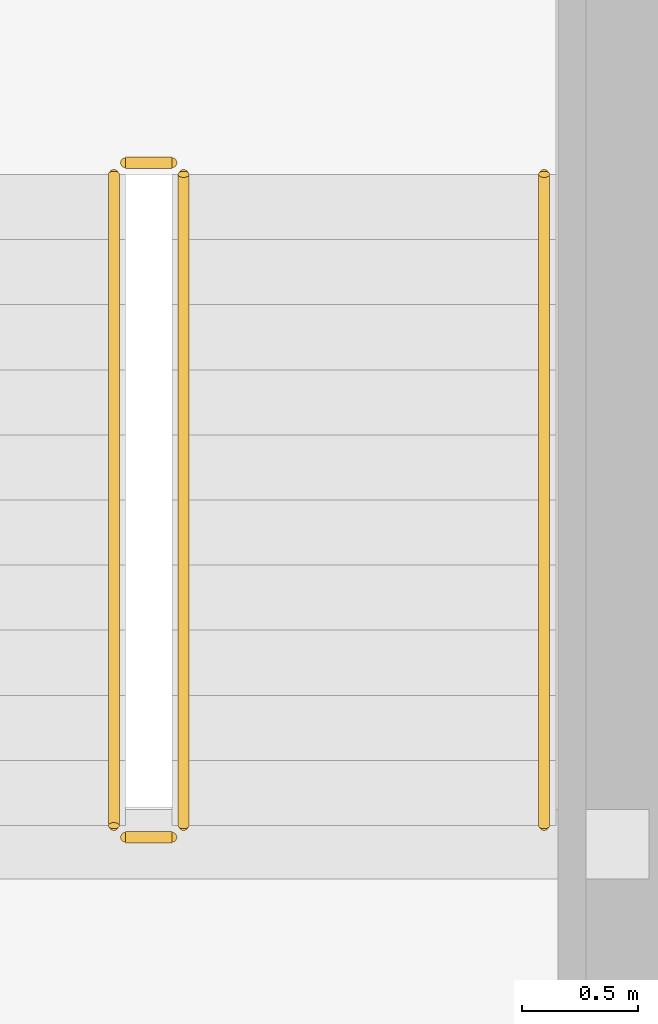
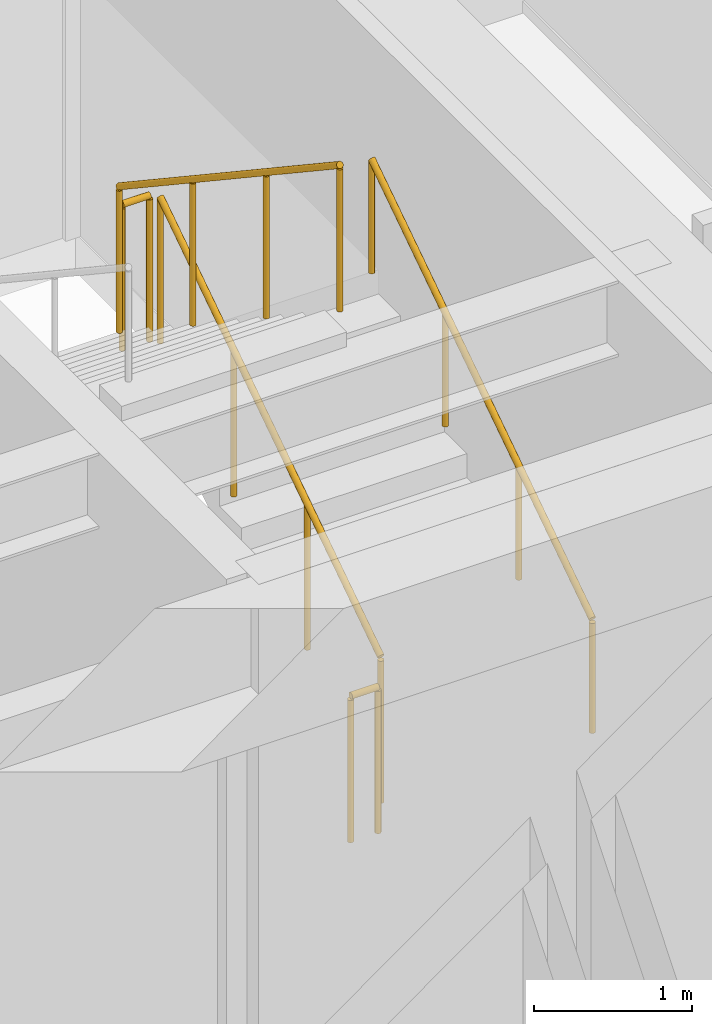
# One storey, part 34 of 35: 5 railings.
"""IFC4 building model written with IfcOpenShell, lengths in metres."""

from ifc_helpers import new_model, si_unit, direction, frame, origin, origin_2d, place, context, subcontext, project, spatial, circle, extrude, source, transform, mapped, material, type_object, type_shapes, element, save


model = new_model("IFC4")

# Units and contexts
model_context = context("Model", 3, precision=1e-05, world=origin(), true_north=direction((0.0, 1.0)))
body_context = subcontext(model_context, "Body", "Model", "MODEL_VIEW")
ifc_project = project(units=[si_unit("LENGTHUNIT", "METRE"), si_unit("AREAUNIT", "SQUARE_METRE"), si_unit("VOLUMEUNIT", "CUBIC_METRE"), si_unit("PLANEANGLEUNIT", "RADIAN"), si_unit("MASSUNIT", "GRAM", prefix="KILO")], contexts=[model_context])

# Site, building, storey
site_placement = place(None, origin())
site = spatial("IfcSite", under=ifc_project, at=site_placement, CompositionType="ELEMENT")
building_placement = place(site_placement, origin())
building = spatial("IfcBuilding", under=site, at=building_placement, Name="Haelvirn Gate Laboratories", CompositionType="ELEMENT")
storey_placement = place(building_placement, frame((0.0, 0.0, 283.39990234375)))
storey = spatial("IfcBuildingStorey", under=building, at=storey_placement, Name="L68", CompositionType="ELEMENT", Elevation=283.39990234375)

# Railings
ifc_material_1 = material(Name="Galvanised steel SM355 & stainless top rail", Category="steel")
railing_type_1 = type_object("IfcRailingType", Name="RL-GUARD-1150", PredefinedType="GUARDRAIL", material=ifc_material_1)
shared_shape_1 = source(origin(), body_context, "Body", "SweptSolid", [
    extrude(circle(Radius=0.02392578125, at=origin_2d()), frame((0.0, 0.0, 1.1259765625), z_axis=(0.0, 0.832485552168, 0.554046753832), x_axis=(-1.0, 0.0, 0.0)), (0.0, 0.0, 1.0), 3.363525390625),
    extrude(circle(Radius=0.02099609375, at=origin_2d()), origin(), (0.0, 0.0, 1.0), 1.101806640625),
    extrude(circle(Radius=0.02099609375, at=origin_2d()), frame((0.0, 0.933349609375, 0.62109375)), (0.0, 0.0, 1.0), 1.101806640625),
    extrude(circle(Radius=0.02099609375, at=origin_2d()), frame((0.0, 1.86669921875, 1.242431640625)), (0.0, 0.0, 1.0), 1.101806640625),
    extrude(circle(Radius=0.02099609375, at=origin_2d()), frame((0.0, 2.800048828125, 1.863525390625)), (0.0, 0.0, 1.0), 1.101806640625),
])
railing_1_placement = place(storey_placement, frame((65.39990234375, 26.699951171875, 0.1865234375)))
element("IfcRailing", 1, at=railing_1_placement, inside=storey, type_object=railing_type_1, Name="L68 ST2 stair guard 1", PredefinedType="GUARDRAIL", context=body_context, shape_type="MappedRepresentation", body=[
    mapped(shared_shape_1, transform((0.0, 0.0, 0.0), scale=1.0)),
])
ifc_material_2 = material(Name="Brushed stainless steel 316L", Category="steel")
railing_type_2 = type_object("IfcRailingType", Name="RL-HAND-920", PredefinedType="HANDRAIL", material=ifc_material_2)
shared_shape_2 = source(origin(), body_context, "Body", "SweptSolid", [
    extrude(circle(Radius=0.02392578125, at=origin_2d()), frame((0.0, 0.0, 0.8759765625), z_axis=(0.0, 0.832485552168, 0.554046753832), x_axis=(-1.0, 0.0, 0.0)), (0.0, 0.0, 1.0), 3.363525390625),
    extrude(circle(Radius=0.02099609375, at=origin_2d()), origin(), (0.0, 0.0, 1.0), 0.851806640625),
    extrude(circle(Radius=0.02099609375, at=origin_2d()), frame((0.0, 0.933349609375, 0.62109375)), (0.0, 0.0, 1.0), 0.851806640625),
    extrude(circle(Radius=0.02099609375, at=origin_2d()), frame((0.0, 1.86669921875, 1.242431640625)), (0.0, 0.0, 1.0), 0.851806640625),
    extrude(circle(Radius=0.02099609375, at=origin_2d()), frame((0.0, 2.800048828125, 1.863525390625)), (0.0, 0.0, 1.0), 0.851806640625),
])
type_shapes(railing_type_2, [shared_shape_2])
railing_2_placement = place(storey_placement, frame((66.949951171875, 26.699951171875, 0.1865234375)))
element("IfcRailing", 2, at=railing_2_placement, inside=storey, type_object=railing_type_2, Name="L68 ST2 stair handrail 1", PredefinedType="HANDRAIL", context=body_context, shape_type="MappedRepresentation", body=[
    mapped(shared_shape_2, transform((0.0, 0.0, 0.0), scale=1.0)),
])
shared_shape_3 = source(origin(), body_context, "Body", "SweptSolid", [
    extrude(circle(Radius=0.02392578125, at=origin_2d()), frame((0.0, 0.0, 1.1259765625), z_axis=(0.0, -0.832485552168, 0.554046753832), x_axis=(1.0, 0.0, 0.0)), (0.0, 0.0, 1.0), 3.363525390625),
    extrude(circle(Radius=0.02099609375, at=origin_2d()), origin(), (0.0, 0.0, 1.0), 1.101806640625),
    extrude(circle(Radius=0.02099609375, at=origin_2d()), frame((0.0, -0.933349609375, 0.62109375)), (0.0, 0.0, 1.0), 1.101806640625),
    extrude(circle(Radius=0.02099609375, at=origin_2d()), frame((0.0, -1.86669921875, 1.242431640625)), (0.0, 0.0, 1.0), 1.101806640625),
    extrude(circle(Radius=0.02099609375, at=origin_2d()), frame((0.0, -2.800048828125, 1.863525390625)), (0.0, 0.0, 1.0), 1.101806640625),
])
railing_3_placement = place(storey_placement, frame((65.10009765625, 29.5, 2.236572265625)))
element("IfcRailing", 3, at=railing_3_placement, inside=storey, type_object=railing_type_1, Name="L68 ST2 stair guard 3", PredefinedType="GUARDRAIL", context=body_context, shape_type="MappedRepresentation", body=[
    mapped(shared_shape_3, transform((0.0, 0.0, 0.0), scale=1.0)),
])
shared_shape_4 = source(origin(), body_context, "Body", "SweptSolid", [
    extrude(circle(Radius=0.02392578125, at=origin_2d()), frame((0.0, 0.0, 1.1259765625), z_axis=(-1.0, 0.0, 0.0), x_axis=(0.0, -1.0, 0.0)), (0.0, 0.0, 1.0), 0.2001953125),
    extrude(circle(Radius=0.02099609375, at=origin_2d()), origin(), (0.0, 0.0, 1.0), 1.101806640625),
    extrude(circle(Radius=0.02099609375, at=origin_2d()), frame((-0.2001953125, 0.0, 0.0)), (0.0, 0.0, 1.0), 1.101806640625),
])
type_shapes(railing_type_1, [shared_shape_1, shared_shape_3, shared_shape_4])
for number, where, name in (
    (4, (65.35009765625, 29.550048828125, 2.050048828125), "L68 ST2 stair guard 2"),
    (5, (65.35009765625, 26.64990234375, 0.0), "L68 ST2 stair guard 4"),
):
    element("IfcRailing", number, at=place(storey_placement, frame(where)), inside=storey, type_object=railing_type_1, Name=name, PredefinedType="GUARDRAIL", context=body_context, shape_type="MappedRepresentation", body=[
        mapped(shared_shape_4, transform((0.0, 0.0, 0.0), scale=1.0)),
    ])

save(model, "model.ifc")
